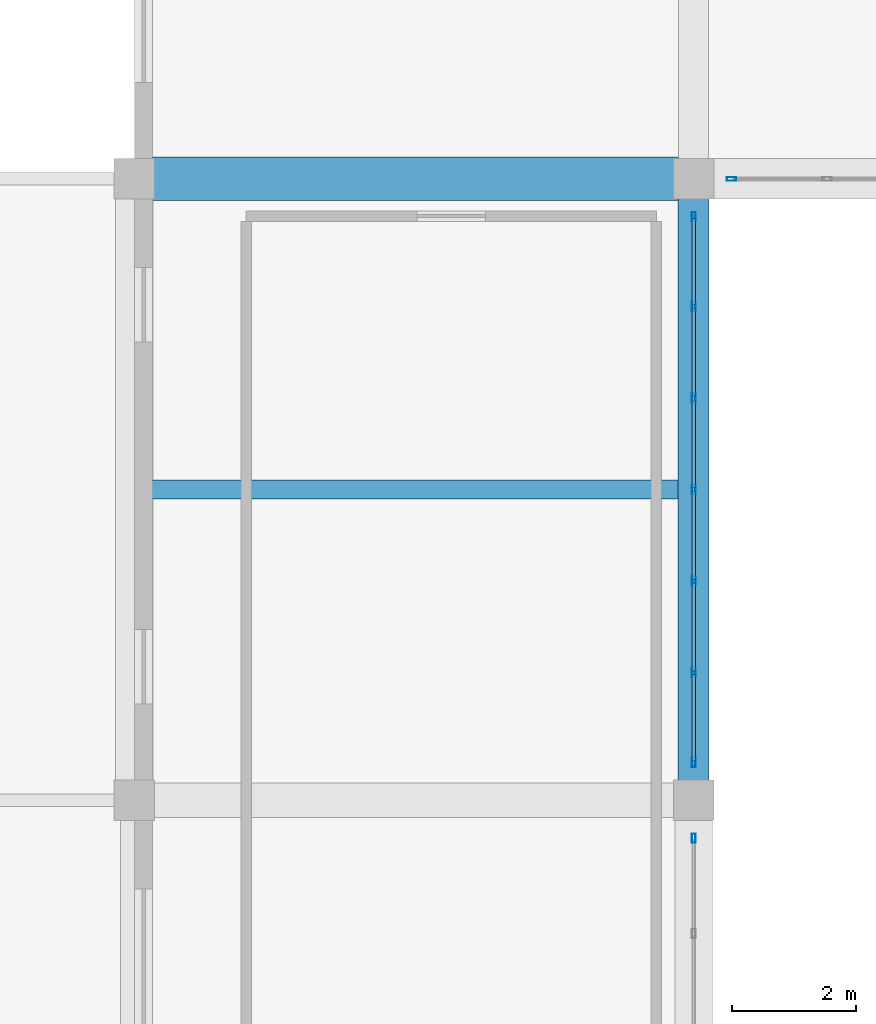
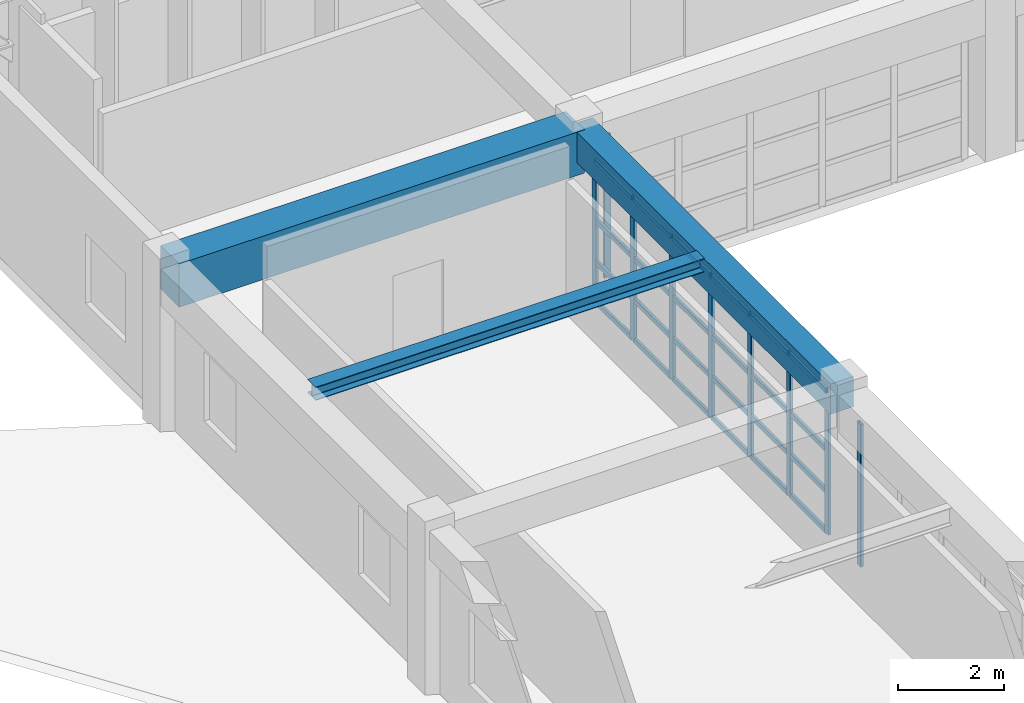
# One storey, part 20 of 130: 33 members, 3 beams, 3 elements without a shape of their own.
"""IFC4 building model written with IfcOpenShell, lengths in metres."""

from ifc_helpers import new_model, si_unit, direction, frame, origin, origin_2d, place, context, subcontext, project, spatial, rectangle, hollow_rectangle, i_section, extrude, material, material_profile, profile_set, type_object, element, aggregate, save


model = new_model("IFC4")

# Units and contexts
model_context = context("Model", 3, precision=1e-05, world=origin(), true_north=direction((0.0, 1.0)))
body_context = subcontext(model_context, "Body", "Model", "MODEL_VIEW")
ifc_project = project(units=[si_unit("LENGTHUNIT", "METRE"), si_unit("AREAUNIT", "SQUARE_METRE"), si_unit("VOLUMEUNIT", "CUBIC_METRE"), si_unit("PLANEANGLEUNIT", "RADIAN"), si_unit("MASSUNIT", "GRAM", prefix="KILO")], contexts=[model_context])

# Site, building, storey
site_placement = place(None, origin())
site = spatial("IfcSite", under=ifc_project, at=site_placement, CompositionType="ELEMENT")
building_placement = place(site_placement, origin())
building = spatial("IfcBuilding", under=site, at=building_placement, Name="Miravela Opera House", CompositionType="ELEMENT")
storey_placement = place(building_placement, frame((0.0, 0.0, 9.52001953125)))
storey = spatial("IfcBuildingStorey", under=building, at=storey_placement, Name="L02", CompositionType="ELEMENT", Elevation=9.52001953125)

# Curtain wall, member
ifc_material_1 = material(Name="Anodised architectural bronze aluminium 6063-T6", Category="aluminium")
curtain_wall_type = type_object("IfcCurtainWallType", Name="ARC-CW-06", PredefinedType="NOTDEFINED", material=ifc_material_1)
curtain_wall_1_placement = place(storey_placement, origin())
curtain_wall_1 = element("IfcCurtainWall", 1, at=curtain_wall_1_placement, inside=storey, type_object=curtain_wall_type, Name="Courtyard Arcade Curtain Wall CW-L02-136", PredefinedType="NOTDEFINED")
ifc_material_profile_1 = material_profile(ifc_material_1, hollow_rectangle(XDim=0.06005859375, YDim=0.14990234375, WallThickness=0.00390625, InnerFilletRadius=0.001953125, OuterFilletRadius=0.00390625, at=origin_2d()), Name="CWM-60X150")
ifc_profile_set_1 = profile_set([ifc_material_profile_1])
member_type_1 = type_object("IfcMemberType", Name="ARC-CWM-150", PredefinedType="MULLION", material=ifc_profile_set_1)
member_1_placement = place(storey_placement, frame((27.610107421875, 28.0, 0.0), z_axis=(0.0, 0.0, 1.0), x_axis=(0.0, 1.0, 0.0)))
member_1 = element("IfcMember", 2, at=member_1_placement, type_object=member_type_1, Name="CW-06 mullion 1", PredefinedType="MULLION", context=body_context, shape_type="SweptSolid", body=[
    extrude(hollow_rectangle(XDim=0.06005859375, YDim=0.14990234375, WallThickness=0.00390625, InnerFilletRadius=0.001953125, OuterFilletRadius=0.00390625, at=origin_2d()), origin(), (0.0, 0.0, 1.0), 3.2900390625),
])
aggregate(curtain_wall_1, [member_1])

curtain_wall_2_placement = place(storey_placement, origin())
curtain_wall_2 = element("IfcCurtainWall", 3, at=curtain_wall_2_placement, inside=storey, type_object=curtain_wall_type, Name="Courtyard Arcade Curtain Wall CW-L02-144", PredefinedType="NOTDEFINED")
member_2_placement = place(storey_placement, frame((27.0, 17.389892578125, 0.0), z_axis=(0.0, 0.0, 1.0), x_axis=(-1.0, 0.0, 0.0)))
member_2 = element("IfcMember", 4, at=member_2_placement, type_object=member_type_1, Name="CW-06 mullion 6", PredefinedType="MULLION", context=body_context, shape_type="SweptSolid", body=[
    extrude(hollow_rectangle(XDim=0.06005859375, YDim=0.14990234375, WallThickness=0.00390625, InnerFilletRadius=0.001953125, OuterFilletRadius=0.00390625, at=origin_2d()), origin(), (0.0, 0.0, 1.0), 3.2900390625),
])
aggregate(curtain_wall_2, [member_2])

# Curtain wall, members
curtain_wall_3_placement = place(storey_placement, origin())
curtain_wall_3 = element("IfcCurtainWall", 5, at=curtain_wall_3_placement, inside=storey, type_object=curtain_wall_type, Name="Courtyard Arcade Curtain Wall CW-L02-145", PredefinedType="NOTDEFINED")
member_3_placement = place(storey_placement, frame((27.0, 18.610107421875, 0.0), z_axis=(0.0, 0.0, 1.0), x_axis=(-1.0, 0.0, 0.0)))
member_3 = element("IfcMember", 6, at=member_3_placement, type_object=member_type_1, Name="CW-06 mullion 1", PredefinedType="MULLION", context=body_context, shape_type="SweptSolid", body=[
    extrude(hollow_rectangle(XDim=0.06005859375, YDim=0.14990234375, WallThickness=0.00390625, InnerFilletRadius=0.001953125, OuterFilletRadius=0.00390625, at=origin_2d()), origin(), (0.0, 0.0, 1.0), 3.2900390625),
])
member_4_placement = place(storey_placement, frame((27.0, 20.05322265625, 0.0), z_axis=(0.0, 0.0, 1.0), x_axis=(-1.0, 0.0, 0.0)))
member_4 = element("IfcMember", 7, at=member_4_placement, type_object=member_type_1, Name="CW-06 mullion 2", PredefinedType="MULLION", context=body_context, shape_type="SweptSolid", body=[
    extrude(hollow_rectangle(XDim=0.06005859375, YDim=0.14990234375, WallThickness=0.00390625, InnerFilletRadius=0.001953125, OuterFilletRadius=0.00390625, at=origin_2d()), origin(), (0.0, 0.0, 1.0), 3.2900390625),
])
member_5_placement = place(storey_placement, frame((27.0, 21.526611328125, 0.0), z_axis=(0.0, 0.0, 1.0), x_axis=(-1.0, 0.0, 0.0)))
member_5 = element("IfcMember", 8, at=member_5_placement, type_object=member_type_1, Name="CW-06 mullion 3", PredefinedType="MULLION", context=body_context, shape_type="SweptSolid", body=[
    extrude(hollow_rectangle(XDim=0.06005859375, YDim=0.14990234375, WallThickness=0.00390625, InnerFilletRadius=0.001953125, OuterFilletRadius=0.00390625, at=origin_2d()), origin(), (0.0, 0.0, 1.0), 3.2900390625),
])
member_6_placement = place(storey_placement, frame((27.0, 23.0, 0.0), z_axis=(0.0, 0.0, 1.0), x_axis=(-1.0, 0.0, 0.0)))
member_6 = element("IfcMember", 9, at=member_6_placement, type_object=member_type_1, Name="CW-06 mullion 4", PredefinedType="MULLION", context=body_context, shape_type="SweptSolid", body=[
    extrude(hollow_rectangle(XDim=0.06005859375, YDim=0.14990234375, WallThickness=0.00390625, InnerFilletRadius=0.001953125, OuterFilletRadius=0.00390625, at=origin_2d()), origin(), (0.0, 0.0, 1.0), 3.2900390625),
])
member_7_placement = place(storey_placement, frame((27.0, 24.473388671875, 0.0), z_axis=(0.0, 0.0, 1.0), x_axis=(-1.0, 0.0, 0.0)))
member_7 = element("IfcMember", 10, at=member_7_placement, type_object=member_type_1, Name="CW-06 mullion 5", PredefinedType="MULLION", context=body_context, shape_type="SweptSolid", body=[
    extrude(hollow_rectangle(XDim=0.06005859375, YDim=0.14990234375, WallThickness=0.00390625, InnerFilletRadius=0.001953125, OuterFilletRadius=0.00390625, at=origin_2d()), origin(), (0.0, 0.0, 1.0), 3.2900390625),
])
member_8_placement = place(storey_placement, frame((27.0, 25.94677734375, 0.0), z_axis=(0.0, 0.0, 1.0), x_axis=(-1.0, 0.0, 0.0)))
member_8 = element("IfcMember", 11, at=member_8_placement, type_object=member_type_1, Name="CW-06 mullion 6", PredefinedType="MULLION", context=body_context, shape_type="SweptSolid", body=[
    extrude(hollow_rectangle(XDim=0.06005859375, YDim=0.14990234375, WallThickness=0.00390625, InnerFilletRadius=0.001953125, OuterFilletRadius=0.00390625, at=origin_2d()), origin(), (0.0, 0.0, 1.0), 3.2900390625),
])
member_9_placement = place(storey_placement, frame((27.0, 27.389892578125, 0.0), z_axis=(0.0, 0.0, 1.0), x_axis=(-1.0, 0.0, 0.0)))
member_9 = element("IfcMember", 12, at=member_9_placement, type_object=member_type_1, Name="CW-06 mullion 7", PredefinedType="MULLION", context=body_context, shape_type="SweptSolid", body=[
    extrude(hollow_rectangle(XDim=0.06005859375, YDim=0.14990234375, WallThickness=0.00390625, InnerFilletRadius=0.001953125, OuterFilletRadius=0.00390625, at=origin_2d()), origin(), (0.0, 0.0, 1.0), 3.2900390625),
])
ifc_material_profile_2 = material_profile(ifc_material_1, hollow_rectangle(XDim=0.06005859375, YDim=0.114990234375, WallThickness=0.00390625, InnerFilletRadius=0.001953125, OuterFilletRadius=0.00390625, at=origin_2d()), Name="CWT-60X115")
ifc_profile_set_2 = profile_set([ifc_material_profile_2])
member_type_2 = type_object("IfcMemberType", Name="ARC-CWT-115", PredefinedType="USERDEFINED", material=ifc_profile_set_2)
member_10_placement = place(storey_placement, frame((27.0, 18.639892578125, 0.030029296875), z_axis=(0.0, 1.0, 0.0), x_axis=(-1.0, 0.0, 0.0)))
member_10 = element("IfcMember", 13, at=member_10_placement, type_object=member_type_2, Name="CW-06 transom 1.1", ObjectType="TRANSOM", PredefinedType="USERDEFINED", context=body_context, shape_type="SweptSolid", body=[
    extrude(hollow_rectangle(XDim=0.06005859375, YDim=0.114990234375, WallThickness=0.00390625, InnerFilletRadius=0.001953125, OuterFilletRadius=0.00390625, at=origin_2d()), origin(), (0.0, 0.0, 1.0), 1.383544921875),
])
member_11_placement = place(storey_placement, frame((27.0, 18.639892578125, 0.949951171875), z_axis=(0.0, 1.0, 0.0), x_axis=(-1.0, 0.0, 0.0)))
member_11 = element("IfcMember", 14, at=member_11_placement, type_object=member_type_2, Name="CW-06 transom 1.2", ObjectType="TRANSOM", PredefinedType="USERDEFINED", context=body_context, shape_type="SweptSolid", body=[
    extrude(hollow_rectangle(XDim=0.06005859375, YDim=0.114990234375, WallThickness=0.00390625, InnerFilletRadius=0.001953125, OuterFilletRadius=0.00390625, at=origin_2d()), origin(), (0.0, 0.0, 1.0), 1.383544921875),
])
member_12_placement = place(storey_placement, frame((27.0, 18.639892578125, 1.908203125), z_axis=(0.0, 1.0, 0.0), x_axis=(-1.0, 0.0, 0.0)))
member_12 = element("IfcMember", 15, at=member_12_placement, type_object=member_type_2, Name="CW-06 transom 1.3", ObjectType="TRANSOM", PredefinedType="USERDEFINED", context=body_context, shape_type="SweptSolid", body=[
    extrude(hollow_rectangle(XDim=0.06005859375, YDim=0.114990234375, WallThickness=0.00390625, InnerFilletRadius=0.001953125, OuterFilletRadius=0.00390625, at=origin_2d()), origin(), (0.0, 0.0, 1.0), 1.383544921875),
])
member_13_placement = place(storey_placement, frame((27.0, 18.639892578125, 3.260009765625), z_axis=(0.0, 1.0, 0.0), x_axis=(-1.0, 0.0, 0.0)))
member_13 = element("IfcMember", 16, at=member_13_placement, type_object=member_type_2, Name="CW-06 transom 1.4", ObjectType="TRANSOM", PredefinedType="USERDEFINED", context=body_context, shape_type="SweptSolid", body=[
    extrude(hollow_rectangle(XDim=0.06005859375, YDim=0.114990234375, WallThickness=0.00390625, InnerFilletRadius=0.001953125, OuterFilletRadius=0.00390625, at=origin_2d()), origin(), (0.0, 0.0, 1.0), 1.383544921875),
])
member_14_placement = place(storey_placement, frame((27.0, 20.083251953125, 0.030029296875), z_axis=(0.0, 1.0, 0.0), x_axis=(-1.0, 0.0, 0.0)))
member_14 = element("IfcMember", 17, at=member_14_placement, type_object=member_type_2, Name="CW-06 transom 2.1", ObjectType="TRANSOM", PredefinedType="USERDEFINED", context=body_context, shape_type="SweptSolid", body=[
    extrude(hollow_rectangle(XDim=0.06005859375, YDim=0.114990234375, WallThickness=0.00390625, InnerFilletRadius=0.001953125, OuterFilletRadius=0.00390625, at=origin_2d()), origin(), (0.0, 0.0, 1.0), 1.413330078125),
])
member_15_placement = place(storey_placement, frame((27.0, 20.083251953125, 0.949951171875), z_axis=(0.0, 1.0, 0.0), x_axis=(-1.0, 0.0, 0.0)))
member_15 = element("IfcMember", 18, at=member_15_placement, type_object=member_type_2, Name="CW-06 transom 2.2", ObjectType="TRANSOM", PredefinedType="USERDEFINED", context=body_context, shape_type="SweptSolid", body=[
    extrude(hollow_rectangle(XDim=0.06005859375, YDim=0.114990234375, WallThickness=0.00390625, InnerFilletRadius=0.001953125, OuterFilletRadius=0.00390625, at=origin_2d()), origin(), (0.0, 0.0, 1.0), 1.413330078125),
])
member_16_placement = place(storey_placement, frame((27.0, 20.083251953125, 1.908203125), z_axis=(0.0, 1.0, 0.0), x_axis=(-1.0, 0.0, 0.0)))
member_16 = element("IfcMember", 19, at=member_16_placement, type_object=member_type_2, Name="CW-06 transom 2.3", ObjectType="TRANSOM", PredefinedType="USERDEFINED", context=body_context, shape_type="SweptSolid", body=[
    extrude(hollow_rectangle(XDim=0.06005859375, YDim=0.114990234375, WallThickness=0.00390625, InnerFilletRadius=0.001953125, OuterFilletRadius=0.00390625, at=origin_2d()), origin(), (0.0, 0.0, 1.0), 1.413330078125),
])
member_17_placement = place(storey_placement, frame((27.0, 20.083251953125, 3.260009765625), z_axis=(0.0, 1.0, 0.0), x_axis=(-1.0, 0.0, 0.0)))
member_17 = element("IfcMember", 20, at=member_17_placement, type_object=member_type_2, Name="CW-06 transom 2.4", ObjectType="TRANSOM", PredefinedType="USERDEFINED", context=body_context, shape_type="SweptSolid", body=[
    extrude(hollow_rectangle(XDim=0.06005859375, YDim=0.114990234375, WallThickness=0.00390625, InnerFilletRadius=0.001953125, OuterFilletRadius=0.00390625, at=origin_2d()), origin(), (0.0, 0.0, 1.0), 1.413330078125),
])
member_18_placement = place(storey_placement, frame((27.0, 21.556640625, 0.030029296875), z_axis=(0.0, 1.0, 0.0), x_axis=(-1.0, 0.0, 0.0)))
member_18 = element("IfcMember", 21, at=member_18_placement, type_object=member_type_2, Name="CW-06 transom 3.1", ObjectType="TRANSOM", PredefinedType="USERDEFINED", context=body_context, shape_type="SweptSolid", body=[
    extrude(hollow_rectangle(XDim=0.06005859375, YDim=0.114990234375, WallThickness=0.00390625, InnerFilletRadius=0.001953125, OuterFilletRadius=0.00390625, at=origin_2d()), origin(), (0.0, 0.0, 1.0), 1.413330078125),
])
member_19_placement = place(storey_placement, frame((27.0, 21.556640625, 0.949951171875), z_axis=(0.0, 1.0, 0.0), x_axis=(-1.0, 0.0, 0.0)))
member_19 = element("IfcMember", 22, at=member_19_placement, type_object=member_type_2, Name="CW-06 transom 3.2", ObjectType="TRANSOM", PredefinedType="USERDEFINED", context=body_context, shape_type="SweptSolid", body=[
    extrude(hollow_rectangle(XDim=0.06005859375, YDim=0.114990234375, WallThickness=0.00390625, InnerFilletRadius=0.001953125, OuterFilletRadius=0.00390625, at=origin_2d()), origin(), (0.0, 0.0, 1.0), 1.413330078125),
])
member_20_placement = place(storey_placement, frame((27.0, 21.556640625, 1.908203125), z_axis=(0.0, 1.0, 0.0), x_axis=(-1.0, 0.0, 0.0)))
member_20 = element("IfcMember", 23, at=member_20_placement, type_object=member_type_2, Name="CW-06 transom 3.3", ObjectType="TRANSOM", PredefinedType="USERDEFINED", context=body_context, shape_type="SweptSolid", body=[
    extrude(hollow_rectangle(XDim=0.06005859375, YDim=0.114990234375, WallThickness=0.00390625, InnerFilletRadius=0.001953125, OuterFilletRadius=0.00390625, at=origin_2d()), origin(), (0.0, 0.0, 1.0), 1.413330078125),
])
member_21_placement = place(storey_placement, frame((27.0, 21.556640625, 3.260009765625), z_axis=(0.0, 1.0, 0.0), x_axis=(-1.0, 0.0, 0.0)))
member_21 = element("IfcMember", 24, at=member_21_placement, type_object=member_type_2, Name="CW-06 transom 3.4", ObjectType="TRANSOM", PredefinedType="USERDEFINED", context=body_context, shape_type="SweptSolid", body=[
    extrude(hollow_rectangle(XDim=0.06005859375, YDim=0.114990234375, WallThickness=0.00390625, InnerFilletRadius=0.001953125, OuterFilletRadius=0.00390625, at=origin_2d()), origin(), (0.0, 0.0, 1.0), 1.413330078125),
])
member_22_placement = place(storey_placement, frame((27.0, 23.030029296875, 0.030029296875), z_axis=(0.0, 1.0, 0.0), x_axis=(-1.0, 0.0, 0.0)))
member_22 = element("IfcMember", 25, at=member_22_placement, type_object=member_type_2, Name="CW-06 transom 4.1", ObjectType="TRANSOM", PredefinedType="USERDEFINED", context=body_context, shape_type="SweptSolid", body=[
    extrude(hollow_rectangle(XDim=0.06005859375, YDim=0.114990234375, WallThickness=0.00390625, InnerFilletRadius=0.001953125, OuterFilletRadius=0.00390625, at=origin_2d()), origin(), (0.0, 0.0, 1.0), 1.413330078125),
])
member_23_placement = place(storey_placement, frame((27.0, 23.030029296875, 0.949951171875), z_axis=(0.0, 1.0, 0.0), x_axis=(-1.0, 0.0, 0.0)))
member_23 = element("IfcMember", 26, at=member_23_placement, type_object=member_type_2, Name="CW-06 transom 4.2", ObjectType="TRANSOM", PredefinedType="USERDEFINED", context=body_context, shape_type="SweptSolid", body=[
    extrude(hollow_rectangle(XDim=0.06005859375, YDim=0.114990234375, WallThickness=0.00390625, InnerFilletRadius=0.001953125, OuterFilletRadius=0.00390625, at=origin_2d()), origin(), (0.0, 0.0, 1.0), 1.413330078125),
])
member_24_placement = place(storey_placement, frame((27.0, 23.030029296875, 1.908203125), z_axis=(0.0, 1.0, 0.0), x_axis=(-1.0, 0.0, 0.0)))
member_24 = element("IfcMember", 27, at=member_24_placement, type_object=member_type_2, Name="CW-06 transom 4.3", ObjectType="TRANSOM", PredefinedType="USERDEFINED", context=body_context, shape_type="SweptSolid", body=[
    extrude(hollow_rectangle(XDim=0.06005859375, YDim=0.114990234375, WallThickness=0.00390625, InnerFilletRadius=0.001953125, OuterFilletRadius=0.00390625, at=origin_2d()), origin(), (0.0, 0.0, 1.0), 1.413330078125),
])
member_25_placement = place(storey_placement, frame((27.0, 23.030029296875, 3.260009765625), z_axis=(0.0, 1.0, 0.0), x_axis=(-1.0, 0.0, 0.0)))
member_25 = element("IfcMember", 28, at=member_25_placement, type_object=member_type_2, Name="CW-06 transom 4.4", ObjectType="TRANSOM", PredefinedType="USERDEFINED", context=body_context, shape_type="SweptSolid", body=[
    extrude(hollow_rectangle(XDim=0.06005859375, YDim=0.114990234375, WallThickness=0.00390625, InnerFilletRadius=0.001953125, OuterFilletRadius=0.00390625, at=origin_2d()), origin(), (0.0, 0.0, 1.0), 1.413330078125),
])
member_26_placement = place(storey_placement, frame((27.0, 24.50341796875, 0.030029296875), z_axis=(0.0, 1.0, 0.0), x_axis=(-1.0, 0.0, 0.0)))
member_26 = element("IfcMember", 29, at=member_26_placement, type_object=member_type_2, Name="CW-06 transom 5.1", ObjectType="TRANSOM", PredefinedType="USERDEFINED", context=body_context, shape_type="SweptSolid", body=[
    extrude(hollow_rectangle(XDim=0.06005859375, YDim=0.114990234375, WallThickness=0.00390625, InnerFilletRadius=0.001953125, OuterFilletRadius=0.00390625, at=origin_2d()), origin(), (0.0, 0.0, 1.0), 1.413330078125),
])
member_27_placement = place(storey_placement, frame((27.0, 24.50341796875, 0.949951171875), z_axis=(0.0, 1.0, 0.0), x_axis=(-1.0, 0.0, 0.0)))
member_27 = element("IfcMember", 30, at=member_27_placement, type_object=member_type_2, Name="CW-06 transom 5.2", ObjectType="TRANSOM", PredefinedType="USERDEFINED", context=body_context, shape_type="SweptSolid", body=[
    extrude(hollow_rectangle(XDim=0.06005859375, YDim=0.114990234375, WallThickness=0.00390625, InnerFilletRadius=0.001953125, OuterFilletRadius=0.00390625, at=origin_2d()), origin(), (0.0, 0.0, 1.0), 1.413330078125),
])
member_28_placement = place(storey_placement, frame((27.0, 24.50341796875, 1.908203125), z_axis=(0.0, 1.0, 0.0), x_axis=(-1.0, 0.0, 0.0)))
member_28 = element("IfcMember", 31, at=member_28_placement, type_object=member_type_2, Name="CW-06 transom 5.3", ObjectType="TRANSOM", PredefinedType="USERDEFINED", context=body_context, shape_type="SweptSolid", body=[
    extrude(hollow_rectangle(XDim=0.06005859375, YDim=0.114990234375, WallThickness=0.00390625, InnerFilletRadius=0.001953125, OuterFilletRadius=0.00390625, at=origin_2d()), origin(), (0.0, 0.0, 1.0), 1.413330078125),
])
member_29_placement = place(storey_placement, frame((27.0, 24.50341796875, 3.260009765625), z_axis=(0.0, 1.0, 0.0), x_axis=(-1.0, 0.0, 0.0)))
member_29 = element("IfcMember", 32, at=member_29_placement, type_object=member_type_2, Name="CW-06 transom 5.4", ObjectType="TRANSOM", PredefinedType="USERDEFINED", context=body_context, shape_type="SweptSolid", body=[
    extrude(hollow_rectangle(XDim=0.06005859375, YDim=0.114990234375, WallThickness=0.00390625, InnerFilletRadius=0.001953125, OuterFilletRadius=0.00390625, at=origin_2d()), origin(), (0.0, 0.0, 1.0), 1.413330078125),
])
member_30_placement = place(storey_placement, frame((27.0, 25.9765625, 0.030029296875), z_axis=(0.0, 1.0, 0.0), x_axis=(-1.0, 0.0, 0.0)))
member_30 = element("IfcMember", 33, at=member_30_placement, type_object=member_type_2, Name="CW-06 transom 6.1", ObjectType="TRANSOM", PredefinedType="USERDEFINED", context=body_context, shape_type="SweptSolid", body=[
    extrude(hollow_rectangle(XDim=0.06005859375, YDim=0.114990234375, WallThickness=0.00390625, InnerFilletRadius=0.001953125, OuterFilletRadius=0.00390625, at=origin_2d()), origin(), (0.0, 0.0, 1.0), 1.383544921875),
])
member_31_placement = place(storey_placement, frame((27.0, 25.9765625, 0.949951171875), z_axis=(0.0, 1.0, 0.0), x_axis=(-1.0, 0.0, 0.0)))
member_31 = element("IfcMember", 34, at=member_31_placement, type_object=member_type_2, Name="CW-06 transom 6.2", ObjectType="TRANSOM", PredefinedType="USERDEFINED", context=body_context, shape_type="SweptSolid", body=[
    extrude(hollow_rectangle(XDim=0.06005859375, YDim=0.114990234375, WallThickness=0.00390625, InnerFilletRadius=0.001953125, OuterFilletRadius=0.00390625, at=origin_2d()), origin(), (0.0, 0.0, 1.0), 1.383544921875),
])
member_32_placement = place(storey_placement, frame((27.0, 25.9765625, 1.908203125), z_axis=(0.0, 1.0, 0.0), x_axis=(-1.0, 0.0, 0.0)))
member_32 = element("IfcMember", 35, at=member_32_placement, type_object=member_type_2, Name="CW-06 transom 6.3", ObjectType="TRANSOM", PredefinedType="USERDEFINED", context=body_context, shape_type="SweptSolid", body=[
    extrude(hollow_rectangle(XDim=0.06005859375, YDim=0.114990234375, WallThickness=0.00390625, InnerFilletRadius=0.001953125, OuterFilletRadius=0.00390625, at=origin_2d()), origin(), (0.0, 0.0, 1.0), 1.383544921875),
])
member_33_placement = place(storey_placement, frame((27.0, 25.9765625, 3.260009765625), z_axis=(0.0, 1.0, 0.0), x_axis=(-1.0, 0.0, 0.0)))
member_33 = element("IfcMember", 36, at=member_33_placement, type_object=member_type_2, Name="CW-06 transom 6.4", ObjectType="TRANSOM", PredefinedType="USERDEFINED", context=body_context, shape_type="SweptSolid", body=[
    extrude(hollow_rectangle(XDim=0.06005859375, YDim=0.114990234375, WallThickness=0.00390625, InnerFilletRadius=0.001953125, OuterFilletRadius=0.00390625, at=origin_2d()), origin(), (0.0, 0.0, 1.0), 1.383544921875),
])
aggregate(curtain_wall_3, [member_3, member_4, member_5, member_6, member_7, member_8, member_9, member_10, member_11, member_12, member_13, member_14, member_15, member_16, member_17, member_18, member_19, member_20, member_21, member_22, member_23, member_24, member_25, member_26, member_27, member_28, member_29, member_30, member_31, member_32, member_33])

# Beams
ifc_material_2 = material(Name="Concrete C35/45", Category="concrete")
ifc_material_profile_3 = material_profile(ifc_material_2, rectangle(XDim=0.5, YDim=0.699951171875, at=origin_2d()), Name="RC-BM-500X700")
ifc_profile_set_3 = profile_set([ifc_material_profile_3])
beam_type_1 = type_object("IfcBeamType", Name="STR-BM-RC500X700", PredefinedType="BEAM", material=ifc_profile_set_3)
beam_1_placement = place(storey_placement, frame((27.0, 18.080078125, 3.489990234375), z_axis=(0.0, 1.0, 0.0), x_axis=(-1.0, 0.0, 0.0)))
element("IfcBeam", 37, at=beam_1_placement, inside=storey, type_object=beam_type_1, Name="Floor Girder L02 4/C-D", PredefinedType="BEAM", context=body_context, shape_type="SweptSolid", body=[
    extrude(rectangle(XDim=0.5, YDim=0.699951171875, at=origin_2d()), origin(), (0.0, 0.0, 1.0), 9.83984375),
])
ifc_material_3 = material(Name="Concrete C40/50", Category="concrete")
ifc_material_profile_4 = material_profile(ifc_material_3, rectangle(XDim=0.699951171875, YDim=1.0, at=origin_2d()), Name="RC-BM-700X1000")
ifc_profile_set_4 = profile_set([ifc_material_profile_4])
beam_type_2 = type_object("IfcBeamType", Name="STR-BM-RC700X1000", PredefinedType="BEAM", material=ifc_profile_set_4)
beam_2_placement = place(storey_placement, frame((18.080078125, 28.0, 3.340087890625), z_axis=(1.0, 0.0, 0.0), x_axis=(0.0, 1.0, 0.0)))
element("IfcBeam", 38, at=beam_2_placement, inside=storey, type_object=beam_type_2, Name="Floor Girder L02 3-4/D", PredefinedType="BEAM", context=body_context, shape_type="SweptSolid", body=[
    extrude(rectangle(XDim=0.699951171875, YDim=1.0, at=origin_2d()), origin(), (0.0, 0.0, 1.0), 8.83984375),
])
ifc_material_4 = material(Name="Structural steel ASTM A992 Gr. 50", Category="steel")
ifc_material_profile_5 = material_profile(ifc_material_4, i_section(OverallWidth=0.304931640625, OverallDepth=0.30810546875, WebThickness=0.010009765625, FlangeThickness=0.015380859375, FilletRadius=0.013916015625, at=origin_2d()), Name="W310X97")
ifc_profile_set_5 = profile_set([ifc_material_profile_5])
beam_type_3 = type_object("IfcBeamType", Name="STR-BM-W310X97", PredefinedType="JOIST", material=ifc_profile_set_5)
beam_3_placement = place(storey_placement, frame((18.284912109375, 23.0, 3.68603515625), z_axis=(1.0, 0.0, 0.0), x_axis=(0.0, 1.0, 0.0)))
element("IfcBeam", 39, at=beam_3_placement, inside=storey, type_object=beam_type_3, Name="Secondary Floor Joist L02 3-4/C-D", PredefinedType="JOIST", context=body_context, shape_type="SweptSolid", body=[
    extrude(i_section(OverallWidth=0.304931640625, OverallDepth=0.30810546875, WebThickness=0.010009765625, FlangeThickness=0.015380859375, FilletRadius=0.013916015625, at=origin_2d()), origin(), (0.0, 0.0, 1.0), 8.47998046875),
])

save(model, "model.ifc")
